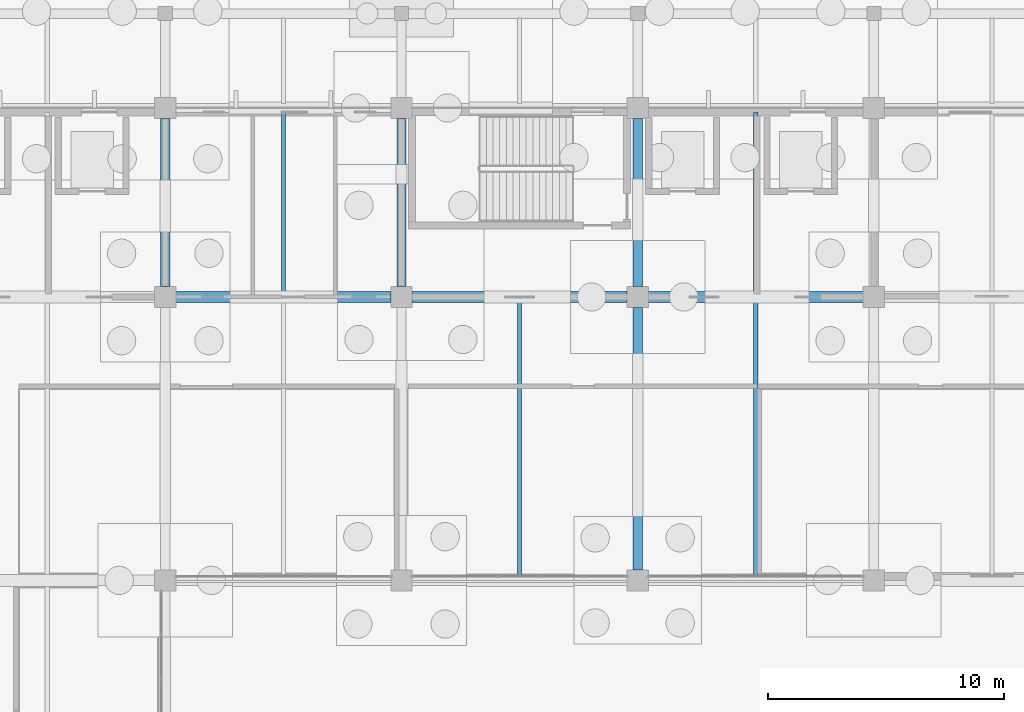
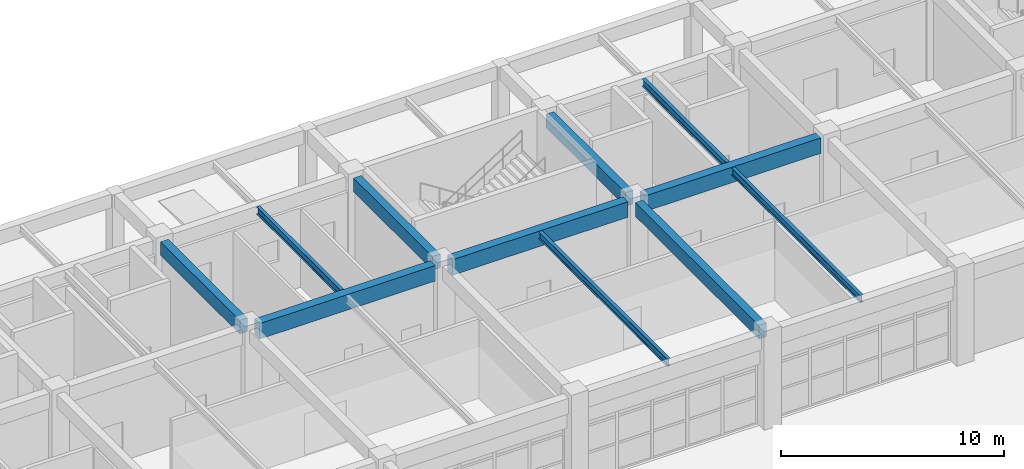
# One storey, part 61 of 99: 11 beams.
"""IFC4 building model written with IfcOpenShell, lengths in metres."""

from ifc_helpers import new_model, si_unit, direction, frame, origin, origin_2d, place, context, subcontext, project, spatial, rectangle, i_section, extrude, material, material_profile, profile_set, type_object, element, save


model = new_model("IFC4")

# Units and contexts
model_context = context("Model", 3, precision=1e-05, world=origin(), true_north=direction((0.0, 1.0)))
body_context = subcontext(model_context, "Body", "Model", "MODEL_VIEW")
ifc_project = project(units=[si_unit("LENGTHUNIT", "METRE"), si_unit("AREAUNIT", "SQUARE_METRE"), si_unit("VOLUMEUNIT", "CUBIC_METRE"), si_unit("PLANEANGLEUNIT", "RADIAN"), si_unit("MASSUNIT", "GRAM", prefix="KILO")], contexts=[model_context])

# Site, building, storey
site_placement = place(None, origin())
site = spatial("IfcSite", under=ifc_project, at=site_placement, CompositionType="ELEMENT")
building_placement = place(site_placement, origin())
building = spatial("IfcBuilding", under=site, at=building_placement, Name="Kivolera Central Railway Station", CompositionType="ELEMENT")
storey_placement = place(building_placement, origin())
storey = spatial("IfcBuildingStorey", under=building, at=storey_placement, Name="L00", CompositionType="ELEMENT", Elevation=0.0)

# Beams
ifc_material_1 = material(Name="Steel S355", Category="steel")
ifc_material_profile_1 = material_profile(ifc_material_1, i_section(OverallWidth=0.179931640625, OverallDepth=0.39990234375, WebThickness=0.008544921875, FlangeThickness=0.013427734375, FilletRadius=0.02099609375, at=origin_2d()), Name="IPE 400")
ifc_profile_set_1 = profile_set([ifc_material_profile_1], Name="Steel S355")
beam_type_1 = type_object("IfcBeamType", Name="BM-JST-IPE400", PredefinedType="JOIST", material=ifc_profile_set_1)
beam_1_placement = place(storey_placement, frame((143.0, 126.217041015625, 4.907958984375), z_axis=(0.0, 1.0, 0.0), x_axis=(-1.0, 0.0, 0.0)))
element("IfcBeam", 1, at=beam_1_placement, inside=storey, type_object=beam_type_1, Name="L00 Floor Joist 14-15/L-M", PredefinedType="JOIST", context=body_context, shape_type="SweptSolid", body=[
    extrude(i_section(OverallWidth=0.179931640625, OverallDepth=0.39990234375, WebThickness=0.008544921875, FlangeThickness=0.013427734375, FilletRadius=0.02099609375, at=origin_2d()), origin(), (0.0, 0.0, 1.0), 7.591064453125),
])
for number, where, z_axis, x_axis, name in (
    (2, (153.0, 114.217041015625, 4.907958984375), (0.0, 1.0, 0.0), (-1.0, 0.0, 0.0), "L00 Floor Joist 15-16/K-L"),
    (3, (163.0, 114.217041015625, 4.907958984375), (0.0, 1.0, 0.0), (-1.0, 0.0, 0.0), "L00 Floor Joist 16-17/K-L"),
):
    element("IfcBeam", number, at=place(storey_placement, frame(where, z_axis=z_axis, x_axis=x_axis)), inside=storey, type_object=beam_type_1, Name=name, PredefinedType="JOIST", context=body_context, shape_type="SweptSolid", body=[
        extrude(i_section(OverallWidth=0.179931640625, OverallDepth=0.39990234375, WebThickness=0.008544921875, FlangeThickness=0.013427734375, FilletRadius=0.02099609375, at=origin_2d()), origin(), (0.0, 0.0, 1.0), 11.56591796875),
    ])
beam_2_placement = place(storey_placement, frame((163.0, 126.217041015625, 4.907958984375), z_axis=(0.0, 1.0, 0.0), x_axis=(-1.0, 0.0, 0.0)))
element("IfcBeam", 4, at=beam_2_placement, inside=storey, type_object=beam_type_1, Name="L00 Floor Joist 16-17/L-M", PredefinedType="JOIST", context=body_context, shape_type="SweptSolid", body=[
    extrude(i_section(OverallWidth=0.179931640625, OverallDepth=0.39990234375, WebThickness=0.008544921875, FlangeThickness=0.013427734375, FilletRadius=0.02099609375, at=origin_2d()), origin(), (0.0, 0.0, 1.0), 7.591064453125),
])
ifc_material_2 = material(Name="Concrete C40/50", Category="concrete")
ifc_material_profile_2 = material_profile(ifc_material_2, rectangle(XDim=0.39990234375, YDim=0.75, at=origin_2d()), Name="RC 400x750")
ifc_profile_set_2 = profile_set([ifc_material_profile_2], Name="Concrete C40/50")
beam_type_2 = type_object("IfcBeamType", Name="BM-RC-400x750", PredefinedType="BEAM", material=ifc_profile_set_2)
for number, where, z_axis, x_axis, name in (
    (5, (138.0, 126.44189453125, 4.7451171875), (0.0, 1.0, 0.0), (-1.0, 0.0, 0.0), "L00 Wing Y-Beam 14:L-M"),
    (6, (148.0, 126.44189453125, 4.7451171875), (0.0, 1.0, 0.0), (-1.0, 0.0, 0.0), "L00 Wing Y-Beam 15:L-M"),
):
    element("IfcBeam", number, at=place(storey_placement, frame(where, z_axis=z_axis, x_axis=x_axis)), inside=storey, type_object=beam_type_2, Name=name, PredefinedType="BEAM", context=body_context, shape_type="SweptSolid", body=[
        extrude(rectangle(XDim=0.39990234375, YDim=0.75, at=origin_2d()), origin(), (0.0, 0.0, 1.0), 7.1162109375),
    ])
beam_3_placement = place(storey_placement, frame((158.0, 114.44189453125, 4.7451171875), z_axis=(0.0, 1.0, 0.0), x_axis=(-1.0, 0.0, 0.0)))
element("IfcBeam", 7, at=beam_3_placement, inside=storey, type_object=beam_type_2, Name="L00 Wing Y-Beam 16:K-L", PredefinedType="BEAM", context=body_context, shape_type="SweptSolid", body=[
    extrude(rectangle(XDim=0.39990234375, YDim=0.75, at=origin_2d()), origin(), (0.0, 0.0, 1.0), 11.1162109375),
])
beam_4_placement = place(storey_placement, frame((158.0, 126.44189453125, 4.7451171875), z_axis=(0.0, 1.0, 0.0), x_axis=(-1.0, 0.0, 0.0)))
element("IfcBeam", 8, at=beam_4_placement, inside=storey, type_object=beam_type_2, Name="L00 Wing Y-Beam 16:L-M", PredefinedType="BEAM", context=body_context, shape_type="SweptSolid", body=[
    extrude(rectangle(XDim=0.39990234375, YDim=0.75, at=origin_2d()), origin(), (0.0, 0.0, 1.0), 7.1162109375),
])
ifc_material_profile_3 = material_profile(ifc_material_2, rectangle(XDim=0.449951171875, YDim=0.85009765625, at=origin_2d()), Name="RC 450x850")
ifc_profile_set_3 = profile_set([ifc_material_profile_3], Name="Concrete C40/50")
beam_type_3 = type_object("IfcBeamType", Name="BM-RC-450x850", PredefinedType="BEAM", material=ifc_profile_set_3)
for number, where, z_axis, x_axis, name in (
    (9, (138.44189453125, 126.0, 4.695068359375), (1.0, 0.0, 0.0), (0.0, 1.0, 0.0), "L00 Wing X-Beam L:14-15"),
    (10, (148.44189453125, 126.0, 4.695068359375), (1.0, 0.0, 0.0), (0.0, 1.0, 0.0), "L00 Wing X-Beam L:15-16"),
    (11, (158.44189453125, 126.0, 4.695068359375), (1.0, 0.0, 0.0), (0.0, 1.0, 0.0), "L00 Wing X-Beam L:16-17"),
):
    element("IfcBeam", number, at=place(storey_placement, frame(where, z_axis=z_axis, x_axis=x_axis)), inside=storey, type_object=beam_type_3, Name=name, PredefinedType="BEAM", context=body_context, shape_type="SweptSolid", body=[
        extrude(rectangle(XDim=0.449951171875, YDim=0.85009765625, at=origin_2d()), origin(), (0.0, 0.0, 1.0), 9.1162109375),
    ])

save(model, "model.ifc")
